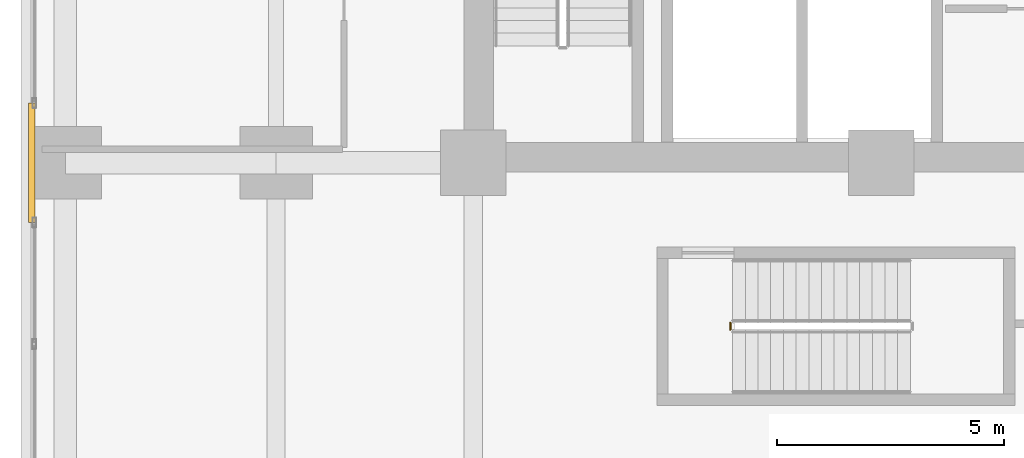
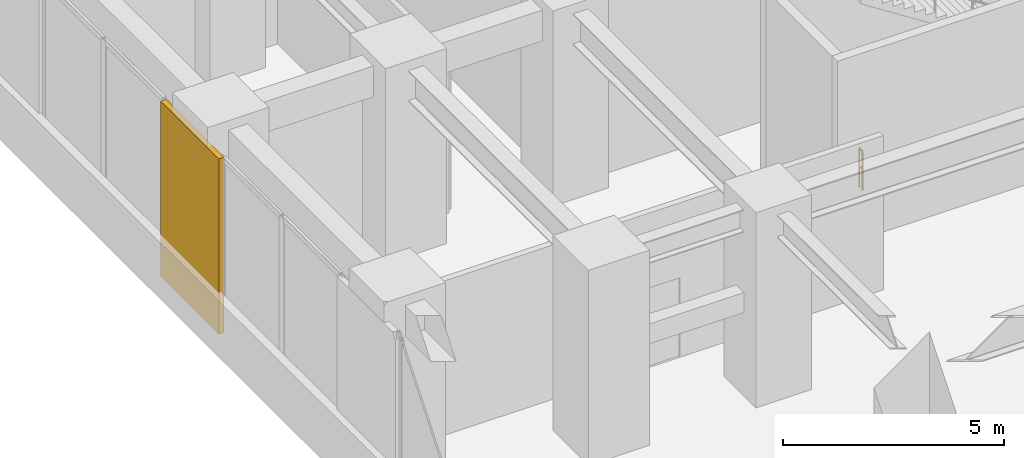
# One storey, part 28 of 33: 1 covering, 1 railing.
"""IFC4 building model written with IfcOpenShell, lengths in metres."""

from ifc_helpers import new_model, si_unit, direction, frame, origin, origin_2d, place, context, subcontext, project, spatial, rectangle, circle, extrude, source, transform, mapped, material, layer, layer_set, type_object, element, save


model = new_model("IFC4")

# Units and contexts
model_context = context("Model", 3, precision=1e-05, world=origin(), true_north=direction((0.0, 1.0)))
body_context = subcontext(model_context, "Body", "Model", "MODEL_VIEW")
ifc_project = project(units=[si_unit("LENGTHUNIT", "METRE"), si_unit("AREAUNIT", "SQUARE_METRE"), si_unit("VOLUMEUNIT", "CUBIC_METRE"), si_unit("PLANEANGLEUNIT", "RADIAN"), si_unit("MASSUNIT", "GRAM", prefix="KILO")], contexts=[model_context])

# Site, building, storey
site_placement = place(None, origin())
site = spatial("IfcSite", under=ifc_project, at=site_placement, CompositionType="ELEMENT")
building_placement = place(site_placement, origin())
building = spatial("IfcBuilding", under=site, at=building_placement, Name="Torre Montelarca", CompositionType="ELEMENT")
storey_placement = place(building_placement, frame((0.0, 0.0, 12.0)))
storey = spatial("IfcBuildingStorey", under=building, at=storey_placement, Name="L03", CompositionType="ELEMENT", Elevation=12.0)

# Railing
ifc_material_1 = material(Name="Powder-coated steel ASTM A500 Grade C", Category="steel")
railing_type = type_object("IfcRailingType", Name="RL-GUARD-1100", PredefinedType="BALUSTRADE", material=ifc_material_1)
railing_placement = place(storey_placement, frame((14.669921875, 20.320068359375, 0.0)))
element("IfcRailing", 1, at=railing_placement, inside=storey, type_object=railing_type, Name="L03 ST3 stair guard 4", PredefinedType="BALUSTRADE", context=body_context, shape_type="SweptSolid", body=[
    extrude(circle(Radius=0.02392578125, at=origin_2d()), frame((0.0, 0.0, 1.076171875), z_axis=(0.0, 1.0, 0.0), x_axis=(-1.0, 0.0, 0.0)), (0.0, 0.0, 1.0), 0.14990234375),
    extrude(circle(Radius=0.02099609375, at=origin_2d()), frame((0.0, 0.0, 0.572021484375), z_axis=(0.0, 1.0, 0.0), x_axis=(-1.0, 0.0, 0.0)), (0.0, 0.0, 1.0), 0.14990234375),
    extrude(circle(Radius=0.02099609375, at=origin_2d()), origin(), (0.0, 0.0, 1.0), 1.052001953125),
    extrude(circle(Radius=0.02099609375, at=origin_2d()), frame((0.0, 0.14990234375, 0.0)), (0.0, 0.0, 1.0), 1.052001953125),
])

# Covering
ifc_material_2 = material(Name="Bush-hammered warm white precast concrete C45/55", Category="concrete")
ifc_layer = layer(ifc_material_2, 0.139892578125, Name="Bush-hammered warm white precast concrete C45/55", Category="concrete")
ifc_layer_set = layer_set([ifc_layer], Name="Bush-hammered warm white precast concrete C45/55")
covering_type = type_object("IfcCoveringType", Name="COV-TRAY-CLAD", PredefinedType="CLADDING", material=ifc_layer_set)
shared_shape = source(origin(), body_context, "Body", "SweptSolid", [
    extrude(rectangle(XDim=2.639892578125, YDim=0.139892578125, at=origin_2d()), origin(), (0.0, 0.0, 1.0), 4.85009765625),
])
covering_placement = place(storey_placement, frame((-0.739990234375, 24.0, 0.0), z_axis=(0.0, 0.0, 1.0), x_axis=(0.0, -1.0, 0.0)))
element("IfcCovering", 2, at=covering_placement, inside=storey, type_object=covering_type, Name="L03 Architectural Column Pier Cladding E10-5", PredefinedType="CLADDING", context=body_context, shape_type="MappedRepresentation", body=[
    mapped(shared_shape, transform((0.0, 0.0, 0.0), scale=1.0)),
])

save(model, "model.ifc")
